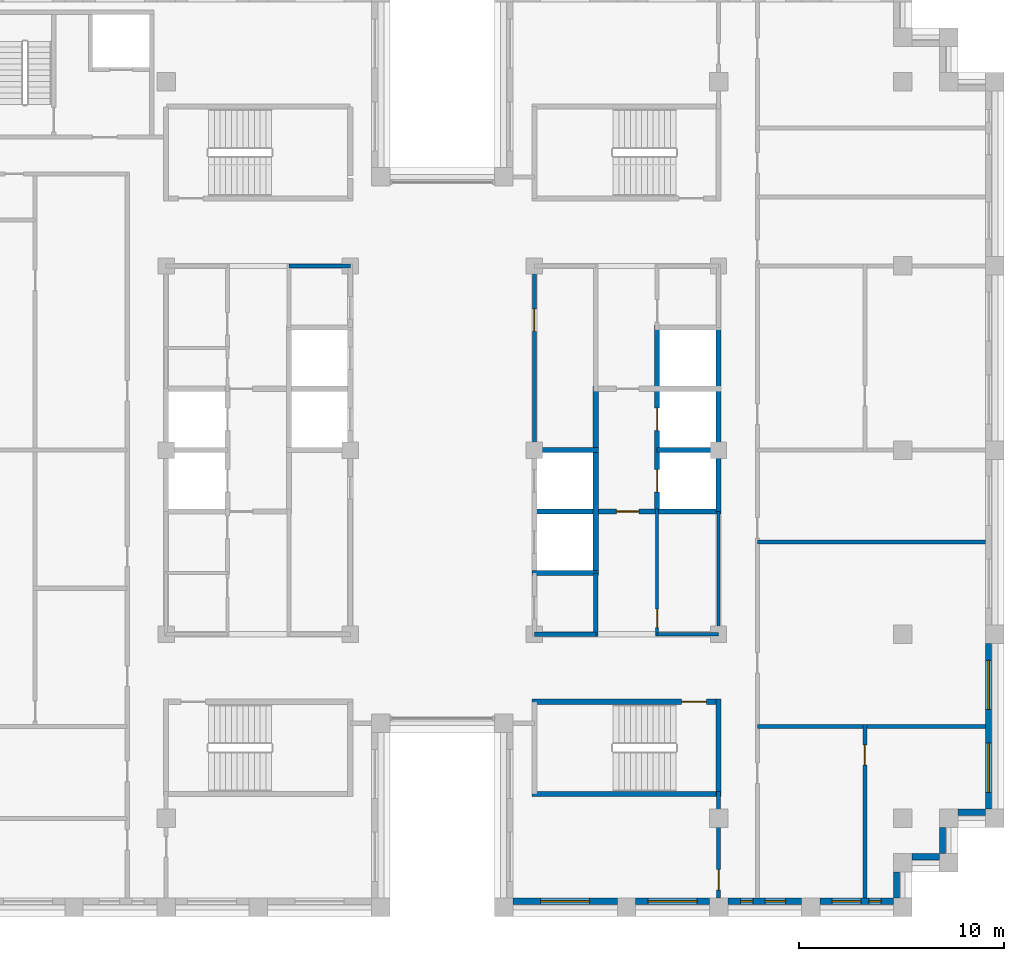
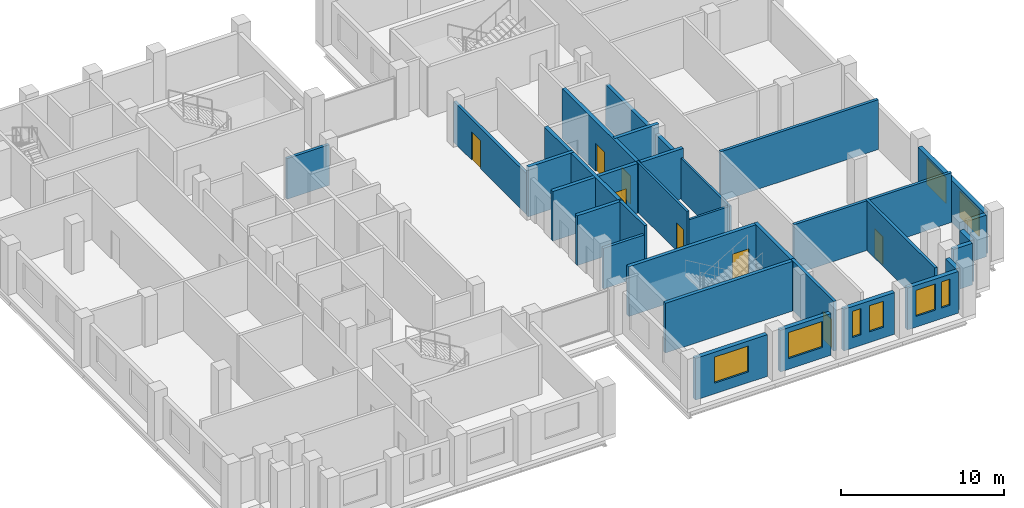
# One storey, part 8 of 13: 30 walls, 8 doors, 8 windows, 16 openings.
"""IFC4 building model written with IfcOpenShell, lengths in metres."""

from ifc_helpers import new_model, si_unit, direction, frame, frame_2d, origin, place, context, subcontext, project, spatial, rectangle, extrude, material, layer, layer_set, type_object, element, fill, save


model = new_model("IFC4")

# Units and contexts
model_context = context("Model", 3, precision=1e-05, world=origin(), true_north=direction((0.0, 1.0)))
body_context = subcontext(model_context, "Body", "Model", "MODEL_VIEW")
ifc_project = project(units=[si_unit("LENGTHUNIT", "METRE"), si_unit("AREAUNIT", "SQUARE_METRE"), si_unit("VOLUMEUNIT", "CUBIC_METRE"), si_unit("PLANEANGLEUNIT", "RADIAN"), si_unit("MASSUNIT", "GRAM", prefix="KILO")], contexts=[model_context])

# Site, building, storey
site_placement = place(None, origin())
site = spatial("IfcSite", under=ifc_project, at=site_placement, CompositionType="ELEMENT")
building_placement = place(site_placement, origin())
building = spatial("IfcBuilding", under=site, at=building_placement, Name="Corbelhall Arena Tower", CompositionType="ELEMENT")
storey_placement = place(building_placement, frame((0.0, 0.0, 258.0)))
storey = spatial("IfcBuildingStorey", under=building, at=storey_placement, Name="L55", CompositionType="ELEMENT", Elevation=258.0)

# Wall, opening, window
ifc_material_1 = material(Name="Precast concrete C40/50 with granite facing", Category="masonry")
ifc_layer_1 = layer(ifc_material_1, 0.300048828125)
ifc_layer_set_1 = layer_set([ifc_layer_1], Name="EV-IW1 Infill panel 300")
wall_type_1 = type_object("IfcWallType", Name="EV-IW1 Infill panel 300", PredefinedType="SOLIDWALL", material=ifc_layer_set_1)
wall_1_placement = place(storey_placement, frame((3.449951171875, -22.050048828125, 0.0), z_axis=(0.0, 0.0, 1.0), x_axis=(1.0, 0.0, 0.0)))
wall_1 = element("IfcWall", 1, at=wall_1_placement, inside=storey, type_object=wall_type_1, Name="Infill panel IW1", PredefinedType="SOLIDWALL", context=body_context, shape_type="SweptSolid", body=[
    extrude(rectangle(XDim=5.10009765625, YDim=0.300048828125, at=frame_2d((2.550048828125, 0.0))), origin(), (0.0, 0.0, 1.0), 3.1201171875),
])
opening_1_placement = place(wall_1_placement, frame((1.35009765625, 0.0, 0.800048828125)))
opening_1 = element("IfcOpeningElement", 2, at=opening_1_placement, cuts=wall_1, Name="Opening WN1", PredefinedType="OPENING", context=body_context, shape_type="SweptSolid", body=[
    extrude(rectangle(XDim=2.39990234375, YDim=1.949951171875, at=frame_2d((1.199951171875, 0.97509765625))), frame((0.0, 0.14990234375, 0.0), z_axis=(0.0, -1.0, 0.0), x_axis=(1.0, 0.0, 0.0)), (0.0, 0.0, 1.0), 0.300048828125),
])
ifc_material_2 = material(Name="Aluminium black anodised", Category="aluminium")
window_type_1 = type_object("IfcWindowType", Name="EV-WN1 Office window", PartitioningType="SINGLE_PANEL", PredefinedType="WINDOW", material=ifc_material_2)
window_1_placement = place(opening_1_placement, origin())
window_1 = element("IfcWindow", 3, at=window_1_placement, inside=storey, type_object=window_type_1, Name="Window WN1", OverallHeight=1.949951171875, OverallWidth=2.39990234375, PartitioningType="SINGLE_PANEL", PredefinedType="WINDOW", context=body_context, shape_type="SweptSolid", body=[
    extrude(rectangle(XDim=2.39990234375, YDim=1.949951171875, at=frame_2d((1.199951171875, 0.97509765625))), frame((0.0, 0.030029296875, 0.0), z_axis=(0.0, -1.0, 0.0), x_axis=(1.0, 0.0, 0.0)), (0.0, 0.0, 1.0), 0.06005859375),
])
fill(opening_1, window_1)

wall_2_placement = place(storey_placement, frame((9.449951171875, -22.050048828125, 0.0), z_axis=(0.0, 0.0, 1.0), x_axis=(1.0, 0.0, 0.0)))
wall_2 = element("IfcWall", 4, at=wall_2_placement, inside=storey, type_object=wall_type_1, Name="Infill panel IW1", PredefinedType="SOLIDWALL", context=body_context, shape_type="SweptSolid", body=[
    extrude(rectangle(XDim=3.60009765625, YDim=0.300048828125, at=frame_2d((1.800048828125, 0.0))), origin(), (0.0, 0.0, 1.0), 3.1201171875),
])
opening_2_placement = place(wall_2_placement, frame((0.60009765625, 0.0, 0.800048828125)))
opening_2 = element("IfcOpeningElement", 5, at=opening_2_placement, cuts=wall_2, Name="Opening WN1", PredefinedType="OPENING", context=body_context, shape_type="SweptSolid", body=[
    extrude(rectangle(XDim=2.39990234375, YDim=1.949951171875, at=frame_2d((1.199951171875, 0.97509765625))), frame((0.0, 0.14990234375, 0.0), z_axis=(0.0, -1.0, 0.0), x_axis=(1.0, 0.0, 0.0)), (0.0, 0.0, 1.0), 0.300048828125),
])
window_2_placement = place(opening_2_placement, origin())
window_2 = element("IfcWindow", 6, at=window_2_placement, inside=storey, type_object=window_type_1, Name="Window WN1", OverallHeight=1.949951171875, OverallWidth=2.39990234375, PartitioningType="SINGLE_PANEL", PredefinedType="WINDOW", context=body_context, shape_type="SweptSolid", body=[
    extrude(rectangle(XDim=2.39990234375, YDim=1.949951171875, at=frame_2d((1.199951171875, 0.97509765625))), frame((0.0, 0.030029296875, 0.0), z_axis=(0.0, -1.0, 0.0), x_axis=(1.0, 0.0, 0.0)), (0.0, 0.0, 1.0), 0.06005859375),
])
fill(opening_2, window_2)

# Wall, openings, windows
wall_3_placement = place(storey_placement, frame((13.949951171875, -22.050048828125, 0.0), z_axis=(0.0, 0.0, 1.0), x_axis=(1.0, 0.0, 0.0)))
wall_3 = element("IfcWall", 7, at=wall_3_placement, inside=storey, type_object=wall_type_1, Name="Infill panel IW1", PredefinedType="SOLIDWALL", context=body_context, shape_type="SweptSolid", body=[
    extrude(rectangle(XDim=3.60009765625, YDim=0.300048828125, at=frame_2d((1.800048828125, 0.0))), origin(), (0.0, 0.0, 1.0), 3.1201171875),
])
opening_3_placement = place(wall_3_placement, frame((0.625, 0.0, 0.800048828125)))
opening_3 = element("IfcOpeningElement", 8, at=opening_3_placement, cuts=wall_3, Name="Opening WN5", PredefinedType="OPENING", context=body_context, shape_type="SweptSolid", body=[
    extrude(rectangle(XDim=0.60009765625, YDim=1.949951171875, at=frame_2d((0.300048828125, 0.97509765625))), frame((0.0, 0.14990234375, 0.0), z_axis=(0.0, -1.0, 0.0), x_axis=(1.0, 0.0, 0.0)), (0.0, 0.0, 1.0), 0.300048828125),
])
opening_4_placement = place(wall_3_placement, frame((1.824951171875, 0.0, 0.800048828125)))
opening_4 = element("IfcOpeningElement", 9, at=opening_4_placement, cuts=wall_3, Name="Opening WN6", PredefinedType="OPENING", context=body_context, shape_type="SweptSolid", body=[
    extrude(rectangle(XDim=1.0, YDim=1.949951171875, at=frame_2d((0.5, 0.97509765625))), frame((0.0, 0.14990234375, 0.0), z_axis=(0.0, -1.0, 0.0), x_axis=(1.0, 0.0, 0.0)), (0.0, 0.0, 1.0), 0.300048828125),
])
window_type_2 = type_object("IfcWindowType", Name="EV-WN5 Office window 600", PartitioningType="SINGLE_PANEL", PredefinedType="WINDOW", material=ifc_material_2)
window_3_placement = place(opening_3_placement, origin())
window_3 = element("IfcWindow", 10, at=window_3_placement, inside=storey, type_object=window_type_2, Name="Window WN5", OverallHeight=1.949951171875, OverallWidth=0.60009765625, PartitioningType="SINGLE_PANEL", PredefinedType="WINDOW", context=body_context, shape_type="SweptSolid", body=[
    extrude(rectangle(XDim=0.60009765625, YDim=1.949951171875, at=frame_2d((0.300048828125, 0.97509765625))), frame((0.0, 0.030029296875, 0.0), z_axis=(0.0, -1.0, 0.0), x_axis=(1.0, 0.0, 0.0)), (0.0, 0.0, 1.0), 0.06005859375),
])
fill(opening_3, window_3)
window_type_3 = type_object("IfcWindowType", Name="EV-WN6 Office window 1000", PartitioningType="SINGLE_PANEL", PredefinedType="WINDOW", material=ifc_material_2)
window_4_placement = place(opening_4_placement, origin())
window_4 = element("IfcWindow", 11, at=window_4_placement, inside=storey, type_object=window_type_3, Name="Window WN6", OverallHeight=1.949951171875, OverallWidth=1.0, PartitioningType="SINGLE_PANEL", PredefinedType="WINDOW", context=body_context, shape_type="SweptSolid", body=[
    extrude(rectangle(XDim=1.0, YDim=1.949951171875, at=frame_2d((0.5, 0.97509765625))), frame((0.0, 0.030029296875, 0.0), z_axis=(0.0, -1.0, 0.0), x_axis=(1.0, 0.0, 0.0)), (0.0, 0.0, 1.0), 0.06005859375),
])
fill(opening_4, window_4)

wall_4_placement = place(storey_placement, frame((18.449951171875, -22.050048828125, 0.0), z_axis=(0.0, 0.0, 1.0), x_axis=(1.0, 0.0, 0.0)))
wall_4 = element("IfcWall", 12, at=wall_4_placement, inside=storey, type_object=wall_type_1, Name="Infill panel IW1", PredefinedType="SOLIDWALL", context=body_context, shape_type="SweptSolid", body=[
    extrude(rectangle(XDim=3.60009765625, YDim=0.300048828125, at=frame_2d((1.800048828125, 0.0))), origin(), (0.0, 0.0, 1.0), 3.1201171875),
])
opening_5_placement = place(wall_4_placement, frame((0.60009765625, 0.0, 0.800048828125)))
opening_5 = element("IfcOpeningElement", 13, at=opening_5_placement, cuts=wall_4, Name="Opening WN7", PredefinedType="OPENING", context=body_context, shape_type="SweptSolid", body=[
    extrude(rectangle(XDim=1.39990234375, YDim=1.949951171875, at=frame_2d((0.699951171875, 0.97509765625))), frame((0.0, 0.14990234375, 0.0), z_axis=(0.0, -1.0, 0.0), x_axis=(1.0, 0.0, 0.0)), (0.0, 0.0, 1.0), 0.300048828125),
])
opening_6_placement = place(wall_4_placement, frame((2.39990234375, 0.0, 0.800048828125)))
opening_6 = element("IfcOpeningElement", 14, at=opening_6_placement, cuts=wall_4, Name="Opening WN5", PredefinedType="OPENING", context=body_context, shape_type="SweptSolid", body=[
    extrude(rectangle(XDim=0.60009765625, YDim=1.949951171875, at=frame_2d((0.300048828125, 0.97509765625))), frame((0.0, 0.14990234375, 0.0), z_axis=(0.0, -1.0, 0.0), x_axis=(1.0, 0.0, 0.0)), (0.0, 0.0, 1.0), 0.300048828125),
])
window_5_placement = place(opening_6_placement, origin())
window_5 = element("IfcWindow", 15, at=window_5_placement, inside=storey, type_object=window_type_2, Name="Window WN5", OverallHeight=1.949951171875, OverallWidth=0.60009765625, PartitioningType="SINGLE_PANEL", PredefinedType="WINDOW", context=body_context, shape_type="SweptSolid", body=[
    extrude(rectangle(XDim=0.60009765625, YDim=1.949951171875, at=frame_2d((0.300048828125, 0.97509765625))), frame((0.0, 0.030029296875, 0.0), z_axis=(0.0, -1.0, 0.0), x_axis=(1.0, 0.0, 0.0)), (0.0, 0.0, 1.0), 0.06005859375),
])
fill(opening_6, window_5)
window_type_4 = type_object("IfcWindowType", Name="EV-WN7 Office window 1400", PartitioningType="SINGLE_PANEL", PredefinedType="WINDOW", material=ifc_material_2)
window_6_placement = place(opening_5_placement, origin())
window_6 = element("IfcWindow", 16, at=window_6_placement, inside=storey, type_object=window_type_4, Name="Window WN7", OverallHeight=1.949951171875, OverallWidth=1.39990234375, PartitioningType="SINGLE_PANEL", PredefinedType="WINDOW", context=body_context, shape_type="SweptSolid", body=[
    extrude(rectangle(XDim=1.39990234375, YDim=1.949951171875, at=frame_2d((0.699951171875, 0.97509765625))), frame((0.0, 0.030029296875, 0.0), z_axis=(0.0, -1.0, 0.0), x_axis=(1.0, 0.0, 0.0)), (0.0, 0.0, 1.0), 0.06005859375),
])
fill(opening_5, window_6)

# Walls
wall_5_placement = place(storey_placement, frame((22.199951171875, -21.89990234375, 0.0), z_axis=(0.0, 0.0, 1.0), x_axis=(0.0, 1.0, 0.0)))
element("IfcWall", 17, at=wall_5_placement, inside=storey, type_object=wall_type_1, Name="Infill panel IW1", PredefinedType="SOLIDWALL", context=body_context, shape_type="SweptSolid", body=[
    extrude(rectangle(XDim=1.27490234375, YDim=0.300048828125, at=frame_2d((0.637451171875, 0.0))), origin(), (0.0, 0.0, 1.0), 3.1201171875),
])
wall_6_placement = place(storey_placement, frame((22.949951171875, -19.875, 0.0), z_axis=(0.0, 0.0, 1.0), x_axis=(1.0, 0.0, 0.0)))
element("IfcWall", 18, at=wall_6_placement, inside=storey, type_object=wall_type_1, Name="Infill panel IW1", PredefinedType="SOLIDWALL", context=body_context, shape_type="SweptSolid", body=[
    extrude(rectangle(XDim=1.35009765625, YDim=0.300048828125, at=frame_2d((0.675048828125, 0.0))), origin(), (0.0, 0.0, 1.0), 3.1201171875),
])
wall_7_placement = place(storey_placement, frame((24.449951171875, -19.72509765625, 0.0), z_axis=(0.0, 0.0, 1.0), x_axis=(0.0, 1.0, 0.0)))
element("IfcWall", 19, at=wall_7_placement, inside=storey, type_object=wall_type_1, Name="Infill panel IW1", PredefinedType="SOLIDWALL", context=body_context, shape_type="SweptSolid", body=[
    extrude(rectangle(XDim=1.275146484375, YDim=0.300048828125, at=frame_2d((0.6376953125, 0.0))), origin(), (0.0, 0.0, 1.0), 3.1201171875),
])
wall_8_placement = place(storey_placement, frame((25.199951171875, -17.699951171875, 0.0), z_axis=(0.0, 0.0, 1.0), x_axis=(1.0, 0.0, 0.0)))
element("IfcWall", 20, at=wall_8_placement, inside=storey, type_object=wall_type_1, Name="Infill panel IW1", PredefinedType="SOLIDWALL", context=body_context, shape_type="SweptSolid", body=[
    extrude(rectangle(XDim=1.35009765625, YDim=0.300048828125, at=frame_2d((0.675048828125, 0.0))), origin(), (0.0, 0.0, 1.0), 3.1201171875),
])

# Wall, openings, windows
wall_9_placement = place(storey_placement, frame((26.699951171875, -17.550048828125, 0.0), z_axis=(0.0, 0.0, 1.0), x_axis=(0.0, 1.0, 0.0)))
wall_9 = element("IfcWall", 21, at=wall_9_placement, inside=storey, type_object=wall_type_1, Name="Infill panel IW1", PredefinedType="SOLIDWALL", context=body_context, shape_type="SweptSolid", body=[
    extrude(rectangle(XDim=8.10009765625, YDim=0.300048828125, at=frame_2d((4.050048828125, 0.0))), origin(), (0.0, 0.0, 1.0), 3.1201171875),
])
opening_7_placement = place(wall_9_placement, frame((0.824951171875, 0.0, 0.800048828125)))
opening_7 = element("IfcOpeningElement", 22, at=opening_7_placement, cuts=wall_9, Name="Opening WN1", PredefinedType="OPENING", context=body_context, shape_type="SweptSolid", body=[
    extrude(rectangle(XDim=2.39990234375, YDim=1.949951171875, at=frame_2d((1.199951171875, 0.97509765625))), frame((0.0, 0.14990234375, 0.0), z_axis=(0.0, -1.0, 0.0), x_axis=(1.0, 0.0, 0.0)), (0.0, 0.0, 1.0), 0.300048828125),
])
opening_8_placement = place(wall_9_placement, frame((4.875, 0.0, 0.800048828125)))
opening_8 = element("IfcOpeningElement", 23, at=opening_8_placement, cuts=wall_9, Name="Opening WN1", PredefinedType="OPENING", context=body_context, shape_type="SweptSolid", body=[
    extrude(rectangle(XDim=2.39990234375, YDim=1.949951171875, at=frame_2d((1.199951171875, 0.97509765625))), frame((0.0, 0.14990234375, 0.0), z_axis=(0.0, -1.0, 0.0), x_axis=(1.0, 0.0, 0.0)), (0.0, 0.0, 1.0), 0.300048828125),
])
window_7_placement = place(opening_7_placement, origin())
window_7 = element("IfcWindow", 24, at=window_7_placement, inside=storey, type_object=window_type_1, Name="Window WN1", OverallHeight=1.949951171875, OverallWidth=2.39990234375, PartitioningType="SINGLE_PANEL", PredefinedType="WINDOW", context=body_context, shape_type="SweptSolid", body=[
    extrude(rectangle(XDim=2.39990234375, YDim=1.949951171875, at=frame_2d((1.199951171875, 0.97509765625))), frame((0.0, 0.030029296875, 0.0), z_axis=(0.0, -1.0, 0.0), x_axis=(1.0, 0.0, 0.0)), (0.0, 0.0, 1.0), 0.06005859375),
])
fill(opening_7, window_7)
window_8_placement = place(opening_8_placement, origin())
window_8 = element("IfcWindow", 25, at=window_8_placement, inside=storey, type_object=window_type_1, Name="Window WN1", OverallHeight=1.949951171875, OverallWidth=2.39990234375, PartitioningType="SINGLE_PANEL", PredefinedType="WINDOW", context=body_context, shape_type="SweptSolid", body=[
    extrude(rectangle(XDim=2.39990234375, YDim=1.949951171875, at=frame_2d((1.199951171875, 0.97509765625))), frame((0.0, 0.030029296875, 0.0), z_axis=(0.0, -1.0, 0.0), x_axis=(1.0, 0.0, 0.0)), (0.0, 0.0, 1.0), 0.06005859375),
])
fill(opening_8, window_8)

# Wall, opening, door
ifc_material_3 = material(Name="Gypsum board on steel stud, acoustic", Category="steel")
ifc_layer_2 = layer(ifc_material_3, 0.199951171875)
ifc_layer_set_2 = layer_set([ifc_layer_2], Name="IN-W-DM200")
wall_type_2 = type_object("IfcWallType", Name="IN-W-DM200", PredefinedType="PARTITIONING", material=ifc_layer_set_2)
wall_10_placement = place(storey_placement, frame((13.5, -21.89990234375, 0.0), z_axis=(0.0, 0.0, 1.0), x_axis=(0.0, 1.0, 0.0)))
wall_10 = element("IfcWall", 26, at=wall_10_placement, inside=storey, type_object=wall_type_2, Name="Partition 014", PredefinedType="PARTITIONING", context=body_context, shape_type="SweptSolid", body=[
    extrude(rectangle(XDim=5.224853515625, YDim=0.199951171875, at=frame_2d((2.6123046875, 0.0))), origin(), (0.0, 0.0, 1.0), 3.719970703125),
])
opening_9_placement = place(wall_10_placement, frame((0.39990234375, 0.0, 0.0)))
opening_9 = element("IfcOpeningElement", 27, at=opening_9_placement, cuts=wall_10, Name="Opening 17021", PredefinedType="OPENING", context=body_context, shape_type="SweptSolid", body=[
    extrude(rectangle(XDim=1.0, YDim=2.10009765625, at=frame_2d((0.5, 1.050048828125))), frame((0.0, 0.10009765625, 0.0), z_axis=(0.0, -1.0, 0.0), x_axis=(1.0, 0.0, 0.0)), (0.0, 0.0, 1.0), 0.199951171875),
])
ifc_material_4 = material(Name="Steel door set", Category="steel")
door_type_1 = type_object("IfcDoorType", Name="IN-D-SW100", OperationType="NOTDEFINED", PredefinedType="DOOR", material=ifc_material_4)
door_1_placement = place(opening_9_placement, origin())
door_1 = element("IfcDoor", 28, at=door_1_placement, inside=storey, type_object=door_type_1, Name="Door 021", OperationType="SINGLE_SWING_RIGHT", OverallHeight=2.10009765625, OverallWidth=1.0, PredefinedType="DOOR", context=body_context, shape_type="SweptSolid", body=[
    extrude(rectangle(XDim=1.0, YDim=2.10009765625, at=frame_2d((0.5, 1.050048828125))), frame((0.0, 0.02490234375, 0.0), z_axis=(0.0, -1.0, 0.0), x_axis=(1.0, 0.0, 0.0)), (0.0, 0.0, 1.0), 0.050048828125),
])
fill(opening_9, door_1)

# Walls
for number, where, z_axis, x_axis, name in (
    (29, (15.39990234375, -13.5, 0.0), (0.0, 0.0, 1.0), (1.0, 0.0, 0.0), "Partition 016"),
    (30, (15.39990234375, -4.5, 0.0), (0.0, 0.0, 1.0), (1.0, 0.0, 0.0), "Partition 018"),
):
    element("IfcWall", number, at=place(storey_placement, frame(where, z_axis=z_axis, x_axis=x_axis)), inside=storey, type_object=wall_type_2, Name=name, PredefinedType="PARTITIONING", context=body_context, shape_type="SweptSolid", body=[
        extrude(rectangle(XDim=11.150146484375, YDim=0.199951171875, at=frame_2d((5.5751953125, 0.0))), origin(), (0.0, 0.0, 1.0), 3.719970703125),
    ])

# Wall, opening, door
wall_11_placement = place(storey_placement, frame((20.64990234375, -13.39990234375, 0.0), z_axis=(0.0, 0.0, 1.0), x_axis=(0.0, -1.0, 0.0)))
wall_11 = element("IfcWall", 31, at=wall_11_placement, inside=storey, type_object=wall_type_2, Name="Partition 022", PredefinedType="PARTITIONING", context=body_context, shape_type="SweptSolid", body=[
    extrude(rectangle(XDim=8.5, YDim=0.199951171875, at=frame_2d((4.25, 0.0))), origin(), (0.0, 0.0, 1.0), 3.719970703125),
])
opening_10_placement = place(wall_11_placement, frame((1.0, 0.0, 0.0)))
opening_10 = element("IfcOpeningElement", 32, at=opening_10_placement, cuts=wall_11, Name="Opening 17035", PredefinedType="OPENING", context=body_context, shape_type="SweptSolid", body=[
    extrude(rectangle(XDim=1.0, YDim=2.10009765625, at=frame_2d((0.5, 1.050048828125))), frame((0.0, 0.10009765625, 0.0), z_axis=(0.0, -1.0, 0.0), x_axis=(1.0, 0.0, 0.0)), (0.0, 0.0, 1.0), 0.199951171875),
])
door_2_placement = place(opening_10_placement, origin())
door_2 = element("IfcDoor", 33, at=door_2_placement, inside=storey, type_object=door_type_1, Name="Door 035", OperationType="SINGLE_SWING_RIGHT", OverallHeight=2.10009765625, OverallWidth=1.0, PredefinedType="DOOR", context=body_context, shape_type="SweptSolid", body=[
    extrude(rectangle(XDim=1.0, YDim=2.10009765625, at=frame_2d((0.5, 1.050048828125))), frame((0.0, 0.02490234375, 0.0), z_axis=(0.0, -1.0, 0.0), x_axis=(1.0, 0.0, 0.0)), (0.0, 0.0, 1.0), 0.050048828125),
])
fill(opening_10, door_2)

# Walls
ifc_material_5 = material(Name="Concrete block wall", Category="concrete")
ifc_layer_3 = layer(ifc_material_5, 0.199951171875)
ifc_layer_set_3 = layer_set([ifc_layer_3], Name="IN-W-RS200")
wall_type_3 = type_object("IfcWallType", Name="IN-W-RS200", PredefinedType="SOLIDWALL", material=ifc_layer_set_3)
wall_12_placement = place(storey_placement, frame((7.5, -6.0, 0.0), z_axis=(0.0, 0.0, 1.0), x_axis=(0.0, -1.0, 0.0)))
element("IfcWall", 34, at=wall_12_placement, inside=storey, type_object=wall_type_3, Name="Partition 040", PredefinedType="SOLIDWALL", context=body_context, shape_type="SweptSolid", body=[
    extrude(rectangle(XDim=3.10009765625, YDim=0.199951171875, at=frame_2d((1.550048828125, 0.0))), origin(), (0.0, 0.0, 1.0), 3.719970703125),
])
ifc_layer_4 = layer(ifc_material_5, 0.199951171875)
ifc_layer_set_4 = layer_set([ifc_layer_4], Name="IN-W-RS200 under beam 678 mm")
wall_type_4 = type_object("IfcWallType", Name="IN-W-RS200 under beam 678 mm", PredefinedType="SOLIDWALL", material=ifc_layer_set_4)
wall_13_placement = place(storey_placement, frame((-7.5, 9.0, 0.0), z_axis=(0.0, 0.0, 1.0), x_axis=(1.0, 0.0, 0.0)))
element("IfcWall", 35, at=wall_13_placement, inside=storey, type_object=wall_type_4, Name="Partition 032", PredefinedType="SOLIDWALL", context=body_context, shape_type="SweptSolid", body=[
    extrude(rectangle(XDim=3.0, YDim=0.199951171875, at=frame_2d((1.5, 0.0))), origin(), (0.0, 0.0, 1.0), 3.041748046875),
])

# Wall, opening, door
wall_14_placement = place(storey_placement, frame((4.5, 0.0, 0.0), z_axis=(0.0, 0.0, 1.0), x_axis=(0.0, 1.0, 0.0)))
wall_14 = element("IfcWall", 36, at=wall_14_placement, inside=storey, type_object=wall_type_4, Name="Partition 037", PredefinedType="SOLIDWALL", context=body_context, shape_type="SweptSolid", body=[
    extrude(rectangle(XDim=9.10009765625, YDim=0.199951171875, at=frame_2d((4.550048828125, 0.0))), origin(), (0.0, 0.0, 1.0), 3.041748046875),
])
opening_11_placement = place(wall_14_placement, frame((5.800048828125, 0.0, 0.0)))
opening_11 = element("IfcOpeningElement", 37, at=opening_11_placement, cuts=wall_14, Name="Opening 17010", PredefinedType="OPENING", context=body_context, shape_type="SweptSolid", body=[
    extrude(rectangle(XDim=1.10009765625, YDim=2.10009765625, at=frame_2d((0.550048828125, 1.050048828125))), frame((0.0, 0.10009765625, 0.0), z_axis=(0.0, -1.0, 0.0), x_axis=(1.0, 0.0, 0.0)), (0.0, 0.0, 1.0), 0.199951171875),
])
door_type_2 = type_object("IfcDoorType", Name="IN-D-FD110", OperationType="NOTDEFINED", PredefinedType="DOOR", material=ifc_material_4)
door_3_placement = place(opening_11_placement, origin())
door_3 = element("IfcDoor", 38, at=door_3_placement, inside=storey, type_object=door_type_2, Name="Door 010", OperationType="SINGLE_SWING_LEFT", OverallHeight=2.10009765625, OverallWidth=1.10009765625, PredefinedType="DOOR", context=body_context, shape_type="SweptSolid", body=[
    extrude(rectangle(XDim=1.10009765625, YDim=2.10009765625, at=frame_2d((0.550048828125, 1.050048828125))), frame((0.0, 0.02490234375, 0.0), z_axis=(0.0, -1.0, 0.0), x_axis=(1.0, 0.0, 0.0)), (0.0, 0.0, 1.0), 0.050048828125),
])
fill(opening_11, door_3)

# Walls
wall_15_placement = place(storey_placement, frame((7.5, -9.0, 0.0), z_axis=(0.0, 0.0, 1.0), x_axis=(-1.0, 0.0, 0.0)))
element("IfcWall", 39, at=wall_15_placement, inside=storey, type_object=wall_type_4, Name="Partition 039", PredefinedType="SOLIDWALL", context=body_context, shape_type="SweptSolid", body=[
    extrude(rectangle(XDim=3.0, YDim=0.199951171875, at=frame_2d((1.5, 0.0))), origin(), (0.0, 0.0, 1.0), 3.041748046875),
])
ifc_material_6 = material(Name="Concrete C40/50", Category="concrete")
ifc_layer_5 = layer(ifc_material_6, 0.25)
ifc_layer_set_5 = layer_set([ifc_layer_5], Name="IN-W-SH250")
wall_type_5 = type_object("IfcWallType", Name="IN-W-SH250", PredefinedType="SOLIDWALL", material=ifc_layer_set_5)
wall_16_placement = place(storey_placement, frame((4.375, -6.0, 0.0), z_axis=(0.0, 0.0, 1.0), x_axis=(1.0, 0.0, 0.0)))
element("IfcWall", 40, at=wall_16_placement, inside=storey, type_object=wall_type_5, Name="Shaft wall 054", PredefinedType="SOLIDWALL", context=body_context, shape_type="SweptSolid", body=[
    extrude(rectangle(XDim=3.25, YDim=0.25, at=frame_2d((1.625, 0.0))), origin(), (0.0, 0.0, 1.0), 3.719970703125),
])

# Wall, opening, door
wall_17_placement = place(storey_placement, frame((4.375, -3.0, 0.0), z_axis=(0.0, 0.0, 1.0), x_axis=(1.0, 0.0, 0.0)))
wall_17 = element("IfcWall", 41, at=wall_17_placement, inside=storey, type_object=wall_type_5, Name="Shaft wall 055", PredefinedType="SOLIDWALL", context=body_context, shape_type="SweptSolid", body=[
    extrude(rectangle(XDim=9.25, YDim=0.25, at=frame_2d((4.625, 0.0))), origin(), (0.0, 0.0, 1.0), 3.719970703125),
])
opening_12_placement = place(wall_17_placement, frame((4.125, 0.0, 0.0)))
opening_12 = element("IfcOpeningElement", 42, at=opening_12_placement, cuts=wall_17, Name="Opening 17011", PredefinedType="OPENING", context=body_context, shape_type="SweptSolid", body=[
    extrude(rectangle(XDim=1.10009765625, YDim=2.10009765625, at=frame_2d((0.550048828125, 1.050048828125))), frame((0.0, 0.125, 0.0), z_axis=(0.0, -1.0, 0.0), x_axis=(1.0, 0.0, 0.0)), (0.0, 0.0, 1.0), 0.25),
])
door_4_placement = place(opening_12_placement, origin())
door_4 = element("IfcDoor", 43, at=door_4_placement, inside=storey, type_object=door_type_2, Name="Door 011", OperationType="SINGLE_SWING_RIGHT", OverallHeight=2.10009765625, OverallWidth=1.10009765625, PredefinedType="DOOR", context=body_context, shape_type="SweptSolid", body=[
    extrude(rectangle(XDim=1.10009765625, YDim=2.10009765625, at=frame_2d((0.550048828125, 1.050048828125))), frame((0.0, 0.02490234375, 0.0), z_axis=(0.0, -1.0, 0.0), x_axis=(1.0, 0.0, 0.0)), (0.0, 0.0, 1.0), 0.050048828125),
])
fill(opening_12, door_4)

# Walls
wall_18_placement = place(storey_placement, frame((4.375, 0.0, 0.0), z_axis=(0.0, 0.0, 1.0), x_axis=(1.0, 0.0, 0.0)))
element("IfcWall", 44, at=wall_18_placement, inside=storey, type_object=wall_type_5, Name="Shaft wall 056", PredefinedType="SOLIDWALL", context=body_context, shape_type="SweptSolid", body=[
    extrude(rectangle(XDim=3.25, YDim=0.25, at=frame_2d((1.625, 0.0))), origin(), (0.0, 0.0, 1.0), 3.719970703125),
])
wall_19_placement = place(storey_placement, frame((7.5, 3.125, 0.0), z_axis=(0.0, 0.0, 1.0), x_axis=(0.0, -1.0, 0.0)))
element("IfcWall", 45, at=wall_19_placement, inside=storey, type_object=wall_type_5, Name="Shaft wall 058", PredefinedType="SOLIDWALL", context=body_context, shape_type="SweptSolid", body=[
    extrude(rectangle(XDim=9.125, YDim=0.25, at=frame_2d((4.5625, 0.0))), origin(), (0.0, 0.0, 1.0), 3.719970703125),
])
wall_20_placement = place(storey_placement, frame((10.5, 0.0, 0.0), z_axis=(0.0, 0.0, 1.0), x_axis=(1.0, 0.0, 0.0)))
element("IfcWall", 46, at=wall_20_placement, inside=storey, type_object=wall_type_5, Name="Shaft wall 060", PredefinedType="SOLIDWALL", context=body_context, shape_type="SweptSolid", body=[
    extrude(rectangle(XDim=3.125, YDim=0.25, at=frame_2d((1.5625, 0.0))), origin(), (0.0, 0.0, 1.0), 3.719970703125),
])

# Wall, openings, doors
wall_21_placement = place(storey_placement, frame((10.5, 6.125, 0.0), z_axis=(0.0, 0.0, 1.0), x_axis=(0.0, -1.0, 0.0)))
wall_21 = element("IfcWall", 47, at=wall_21_placement, inside=storey, type_object=wall_type_5, Name="Shaft wall 061", PredefinedType="SOLIDWALL", context=body_context, shape_type="SweptSolid", body=[
    extrude(rectangle(XDim=9.25, YDim=0.25, at=frame_2d((4.625, 0.0))), origin(), (0.0, 0.0, 1.0), 3.719970703125),
])
opening_13_placement = place(wall_21_placement, frame((7.074951171875, 0.0, 0.0)))
opening_13 = element("IfcOpeningElement", 48, at=opening_13_placement, cuts=wall_21, Name="Opening LD", PredefinedType="OPENING", context=body_context, shape_type="SweptSolid", body=[
    extrude(rectangle(XDim=1.10009765625, YDim=2.10009765625, at=frame_2d((0.550048828125, 1.050048828125))), frame((0.0, 0.125, 0.0), z_axis=(0.0, -1.0, 0.0), x_axis=(1.0, 0.0, 0.0)), (0.0, 0.0, 1.0), 0.25),
])
opening_14_placement = place(wall_21_placement, frame((4.074951171875, 0.0, 0.0)))
opening_14 = element("IfcOpeningElement", 49, at=opening_14_placement, cuts=wall_21, Name="Opening LD", PredefinedType="OPENING", context=body_context, shape_type="SweptSolid", body=[
    extrude(rectangle(XDim=1.10009765625, YDim=2.10009765625, at=frame_2d((0.550048828125, 1.050048828125))), frame((0.0, 0.125, 0.0), z_axis=(0.0, -1.0, 0.0), x_axis=(1.0, 0.0, 0.0)), (0.0, 0.0, 1.0), 0.25),
])
door_type_3 = type_object("IfcDoorType", Name="IN-D-LD110", OperationType="NOTDEFINED", PredefinedType="DOOR", material=ifc_material_4)
door_5_placement = place(opening_13_placement, origin())
door_5 = element("IfcDoor", 50, at=door_5_placement, inside=storey, type_object=door_type_3, Name="Landing door E3", OperationType="SLIDING_TO_LEFT", OverallHeight=2.10009765625, OverallWidth=1.10009765625, PredefinedType="DOOR", context=body_context, shape_type="SweptSolid", body=[
    extrude(rectangle(XDim=1.10009765625, YDim=2.10009765625, at=frame_2d((0.550048828125, 1.050048828125))), frame((0.0, 0.02490234375, 0.0), z_axis=(0.0, -1.0, 0.0), x_axis=(1.0, 0.0, 0.0)), (0.0, 0.0, 1.0), 0.050048828125),
])
fill(opening_13, door_5)
door_6_placement = place(opening_14_placement, origin())
door_6 = element("IfcDoor", 51, at=door_6_placement, inside=storey, type_object=door_type_3, Name="Landing door E4", OperationType="SLIDING_TO_LEFT", OverallHeight=2.10009765625, OverallWidth=1.10009765625, PredefinedType="DOOR", context=body_context, shape_type="SweptSolid", body=[
    extrude(rectangle(XDim=1.10009765625, YDim=2.10009765625, at=frame_2d((0.550048828125, 1.050048828125))), frame((0.0, 0.02490234375, 0.0), z_axis=(0.0, -1.0, 0.0), x_axis=(1.0, 0.0, 0.0)), (0.0, 0.0, 1.0), 0.050048828125),
])
fill(opening_14, door_6)

# Walls
ifc_layer_6 = layer(ifc_material_6, 0.25)
ifc_layer_set_6 = layer_set([ifc_layer_6], Name="IN-W-SH250 under beam 678 mm")
wall_type_6 = type_object("IfcWallType", Name="IN-W-SH250 under beam 678 mm", PredefinedType="SOLIDWALL", material=ifc_layer_set_6)
wall_22_placement = place(storey_placement, frame((13.5, 6.0, 0.0), z_axis=(0.0, 0.0, 1.0), x_axis=(0.0, -1.0, 0.0)))
element("IfcWall", 52, at=wall_22_placement, inside=storey, type_object=wall_type_6, Name="Shaft wall 063", PredefinedType="SOLIDWALL", context=body_context, shape_type="SweptSolid", body=[
    extrude(rectangle(XDim=9.0, YDim=0.25, at=frame_2d((4.5, 0.0))), origin(), (0.0, 0.0, 1.0), 3.041748046875),
])
ifc_layer_7 = layer(ifc_material_6, 0.25)
ifc_layer_set_7 = layer_set([ifc_layer_7], Name="IN-W-ST250")
wall_type_7 = type_object("IfcWallType", Name="IN-W-ST250", PredefinedType="SOLIDWALL", material=ifc_layer_set_7)
wall_23_placement = place(storey_placement, frame((13.5, -16.925048828125, 0.0), z_axis=(0.0, 0.0, 1.0), x_axis=(0.0, 1.0, 0.0)))
element("IfcWall", 53, at=wall_23_placement, inside=storey, type_object=wall_type_7, Name="Shaft wall 077", PredefinedType="SOLIDWALL", context=body_context, shape_type="SweptSolid", body=[
    extrude(rectangle(XDim=4.75, YDim=0.25, at=frame_2d((2.375, 0.0))), origin(), (0.0, 0.0, 1.0), 3.719970703125),
])
wall_24_placement = place(storey_placement, frame((13.5, -16.800048828125, 0.0), z_axis=(0.0, 0.0, 1.0), x_axis=(-1.0, 0.0, 0.0)))
element("IfcWall", 54, at=wall_24_placement, inside=storey, type_object=wall_type_7, Name="Shaft wall 078", PredefinedType="SOLIDWALL", context=body_context, shape_type="SweptSolid", body=[
    extrude(rectangle(XDim=9.125, YDim=0.25, at=frame_2d((4.5625, 0.0))), origin(), (0.0, 0.0, 1.0), 3.719970703125),
])

# Wall, opening, door
wall_25_placement = place(storey_placement, frame((13.5, -12.300048828125, 0.0), z_axis=(0.0, 0.0, 1.0), x_axis=(-1.0, 0.0, 0.0)))
wall_25 = element("IfcWall", 55, at=wall_25_placement, inside=storey, type_object=wall_type_7, Name="Shaft wall 079", PredefinedType="SOLIDWALL", context=body_context, shape_type="SweptSolid", body=[
    extrude(rectangle(XDim=9.125, YDim=0.25, at=frame_2d((4.5625, 0.0))), origin(), (0.0, 0.0, 1.0), 3.719970703125),
])
opening_15_placement = place(wall_25_placement, frame((0.60009765625, 0.0, 0.0)))
opening_15 = element("IfcOpeningElement", 56, at=opening_15_placement, cuts=wall_25, Name="Opening 17018", PredefinedType="OPENING", context=body_context, shape_type="SweptSolid", body=[
    extrude(rectangle(XDim=1.199951171875, YDim=2.10009765625, at=frame_2d((0.60009765625, 1.050048828125))), frame((0.0, 0.125, 0.0), z_axis=(0.0, -1.0, 0.0), x_axis=(1.0, 0.0, 0.0)), (0.0, 0.0, 1.0), 0.25),
])
door_type_4 = type_object("IfcDoorType", Name="IN-D-ST120", OperationType="NOTDEFINED", PredefinedType="DOOR", material=ifc_material_4)
door_7_placement = place(opening_15_placement, origin())
door_7 = element("IfcDoor", 57, at=door_7_placement, inside=storey, type_object=door_type_4, Name="Door 018", OperationType="SINGLE_SWING_LEFT", OverallHeight=2.10009765625, OverallWidth=1.199951171875, PredefinedType="DOOR", context=body_context, shape_type="SweptSolid", body=[
    extrude(rectangle(XDim=1.199951171875, YDim=2.10009765625, at=frame_2d((0.60009765625, 1.050048828125))), frame((0.0, 0.02490234375, 0.0), z_axis=(0.0, -1.0, 0.0), x_axis=(1.0, 0.0, 0.0)), (0.0, 0.0, 1.0), 0.050048828125),
])
fill(opening_15, door_7)

ifc_material_7 = material(Name="Gypsum board on steel stud, moisture resistant", Category="steel")
ifc_layer_8 = layer(ifc_material_7, 0.14990234375)
ifc_layer_set_8 = layer_set([ifc_layer_8], Name="IN-W-WC150")
wall_type_8 = type_object("IfcWallType", Name="IN-W-WC150", PredefinedType="PARTITIONING", material=ifc_layer_set_8)
wall_26_placement = place(storey_placement, frame((10.5, -2.875, 0.0), z_axis=(0.0, 0.0, 1.0), x_axis=(0.0, -1.0, 0.0)))
wall_26 = element("IfcWall", 58, at=wall_26_placement, inside=storey, type_object=wall_type_8, Name="Partition 088", PredefinedType="PARTITIONING", context=body_context, shape_type="SweptSolid", body=[
    extrude(rectangle(XDim=6.199951171875, YDim=0.14990234375, at=frame_2d((3.10009765625, 0.0))), origin(), (0.0, 0.0, 1.0), 3.719970703125),
])
opening_16_placement = place(wall_26_placement, frame((4.89990234375, 0.0, 0.0)))
opening_16 = element("IfcOpeningElement", 59, at=opening_16_placement, cuts=wall_26, Name="Opening 17013", PredefinedType="OPENING", context=body_context, shape_type="SweptSolid", body=[
    extrude(rectangle(XDim=0.89990234375, YDim=2.10009765625, at=frame_2d((0.449951171875, 1.050048828125))), frame((0.0, 0.074951171875, 0.0), z_axis=(0.0, -1.0, 0.0), x_axis=(1.0, 0.0, 0.0)), (0.0, 0.0, 1.0), 0.14990234375),
])
ifc_material_8 = material(Name="Timber door set", Category="wood")
door_type_5 = type_object("IfcDoorType", Name="IN-D-SW90", OperationType="NOTDEFINED", PredefinedType="DOOR", material=ifc_material_8)
door_8_placement = place(opening_16_placement, origin())
door_8 = element("IfcDoor", 60, at=door_8_placement, inside=storey, type_object=door_type_5, Name="Door 013", OperationType="SINGLE_SWING_RIGHT", OverallHeight=2.10009765625, OverallWidth=0.89990234375, PredefinedType="DOOR", context=body_context, shape_type="SweptSolid", body=[
    extrude(rectangle(XDim=0.89990234375, YDim=2.10009765625, at=frame_2d((0.449951171875, 1.050048828125))), frame((0.0, 0.02490234375, 0.0), z_axis=(0.0, -1.0, 0.0), x_axis=(1.0, 0.0, 0.0)), (0.0, 0.0, 1.0), 0.050048828125),
])
fill(opening_16, door_8)

# Walls
ifc_layer_9 = layer(ifc_material_7, 0.14990234375)
ifc_layer_set_9 = layer_set([ifc_layer_9], Name="IN-W-WC150 under beam 678 mm")
wall_type_9 = type_object("IfcWallType", Name="IN-W-WC150 under beam 678 mm", PredefinedType="PARTITIONING", material=ifc_layer_set_9)
wall_27_placement = place(storey_placement, frame((13.5, -9.0, 0.0), z_axis=(0.0, 0.0, 1.0), x_axis=(-1.0, 0.0, 0.0)))
element("IfcWall", 61, at=wall_27_placement, inside=storey, type_object=wall_type_9, Name="Partition 089", PredefinedType="PARTITIONING", context=body_context, shape_type="SweptSolid", body=[
    extrude(rectangle(XDim=3.0, YDim=0.14990234375, at=frame_2d((1.5, 0.0))), origin(), (0.0, 0.0, 1.0), 3.041748046875),
])
wall_28_placement = place(storey_placement, frame((13.5, -3.0, 0.0), z_axis=(0.0, 0.0, 1.0), x_axis=(0.0, -1.0, 0.0)))
element("IfcWall", 62, at=wall_28_placement, inside=storey, type_object=wall_type_9, Name="Partition 090", PredefinedType="PARTITIONING", context=body_context, shape_type="SweptSolid", body=[
    extrude(rectangle(XDim=6.074951171875, YDim=0.14990234375, at=frame_2d((3.03759765625, 0.0))), origin(), (0.0, 0.0, 1.0), 3.041748046875),
])

save(model, "model.ifc")
